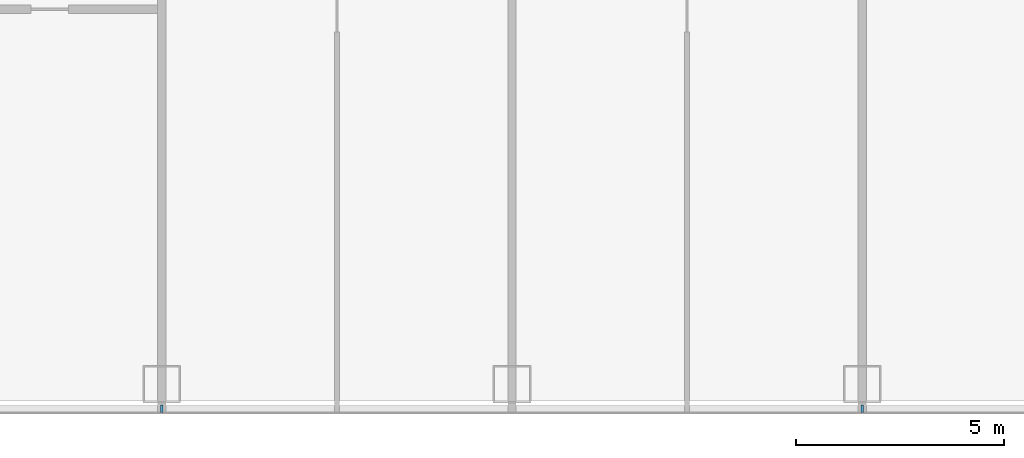
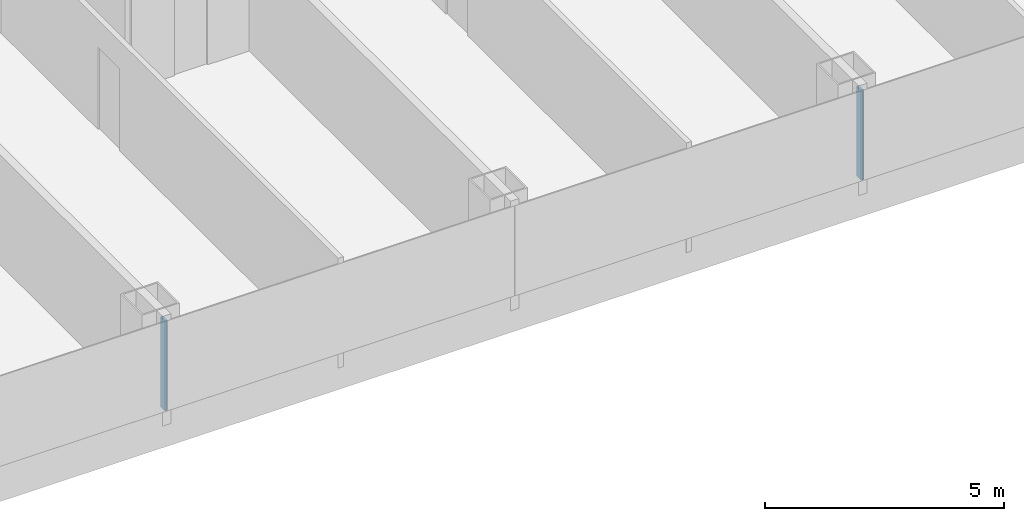
# One storey, part 4 of 28: 2 members, 1 element without a shape of its own.
"""IFC4 building model written with IfcOpenShell, lengths in metres."""

from ifc_helpers import new_model, si_unit, direction, frame, origin, origin_2d, place, context, subcontext, project, spatial, rectangle, extrude, material, layer, layer_set, material_profile, profile_set, type_object, element, aggregate, save


model = new_model("IFC4")

# Units and contexts
model_context = context("Model", 3, precision=1e-05, world=origin(), true_north=direction((0.0, 1.0)))
body_context = subcontext(model_context, "Body", "Model", "MODEL_VIEW")
ifc_project = project(units=[si_unit("LENGTHUNIT", "METRE"), si_unit("AREAUNIT", "SQUARE_METRE"), si_unit("VOLUMEUNIT", "CUBIC_METRE"), si_unit("PLANEANGLEUNIT", "RADIAN"), si_unit("MASSUNIT", "GRAM", prefix="KILO")], contexts=[model_context])

# Site, building, storey
site_placement = place(None, origin())
site = spatial("IfcSite", under=ifc_project, at=site_placement, CompositionType="ELEMENT")
building_placement = place(site_placement, origin())
building = spatial("IfcBuilding", under=site, at=building_placement, Name="Hakoniwa Tower and Hamabe Station Hall", CompositionType="ELEMENT")
storey_placement = place(building_placement, frame((0.0, 0.0, 32.60009765625)))
storey = spatial("IfcBuildingStorey", under=building, at=storey_placement, Name="L08", CompositionType="ELEMENT", Elevation=32.60009765625)

# Curtain wall, members
ifc_material_1 = material(Name="Dark low-e laminated glass", Category="glass")
ifc_layer = layer(ifc_material_1, 0.199951171875)
ifc_layer_set = layer_set([ifc_layer], Name="CW-1 UNITISED GUEST")
curtain_wall_type = type_object("IfcCurtainWallType", Name="CW-1 UNITISED GUEST", PredefinedType="NOTDEFINED", material=ifc_layer_set)
curtain_wall_placement = place(storey_placement, origin())
curtain_wall = element("IfcCurtainWall", 1, at=curtain_wall_placement, inside=storey, type_object=curtain_wall_type, Name="CW-1 curtain wall", PredefinedType="NOTDEFINED")
ifc_material_2 = material(Name="Aluminium 6063-T5 black anodised", Category="aluminium")
ifc_material_profile = material_profile(ifc_material_2, rectangle(XDim=0.06005859375, YDim=0.179931640625, at=origin_2d()), Name="CW-1 MULLION 60X180")
ifc_profile_set = profile_set([ifc_material_profile], Name="Aluminium 6063-T5 black anodised")
member_type = type_object("IfcMemberType", Name="CW-1 MULLION 60X180", PredefinedType="MULLION", material=ifc_profile_set)
member_1_placement = place(storey_placement, frame((-16.800048828125, -20.181884765625, 0.349853515625), z_axis=(0.0, 0.0, 1.0), x_axis=(1.0, 0.0, 0.0)))
member_1 = element("IfcMember", 2, at=member_1_placement, type_object=member_type, Name="CW-1 mullion", PredefinedType="MULLION", context=body_context, shape_type="SweptSolid", body=[
    extrude(rectangle(XDim=0.06005859375, YDim=0.179931640625, at=origin_2d()), origin(), (0.0, 0.0, 1.0), 2.300048828125),
])
member_2_placement = place(storey_placement, frame((0.0, -20.181884765625, 0.349853515625), z_axis=(0.0, 0.0, 1.0), x_axis=(1.0, 0.0, 0.0)))
member_2 = element("IfcMember", 3, at=member_2_placement, type_object=member_type, Name="CW-1 mullion", PredefinedType="MULLION", context=body_context, shape_type="SweptSolid", body=[
    extrude(rectangle(XDim=0.06005859375, YDim=0.179931640625, at=origin_2d()), origin(), (0.0, 0.0, 1.0), 2.300048828125),
])
aggregate(curtain_wall, [member_1, member_2])

save(model, "model.ifc")
